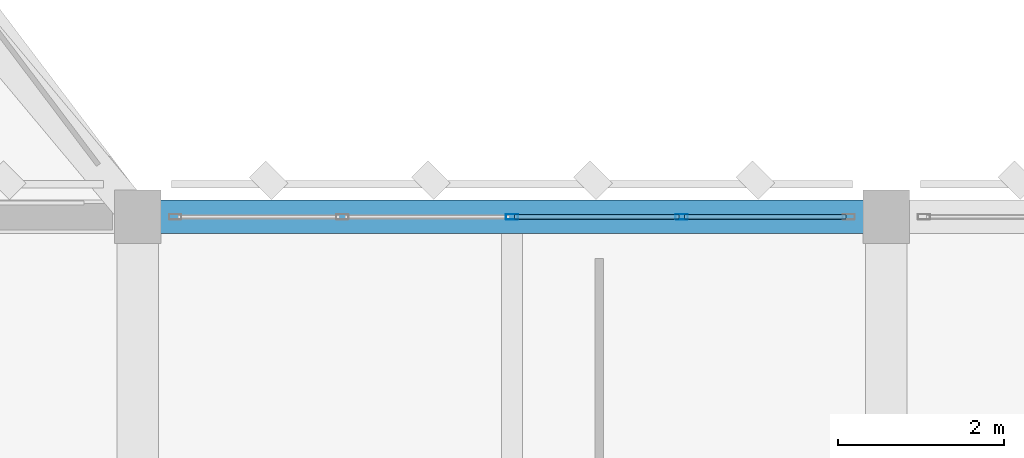
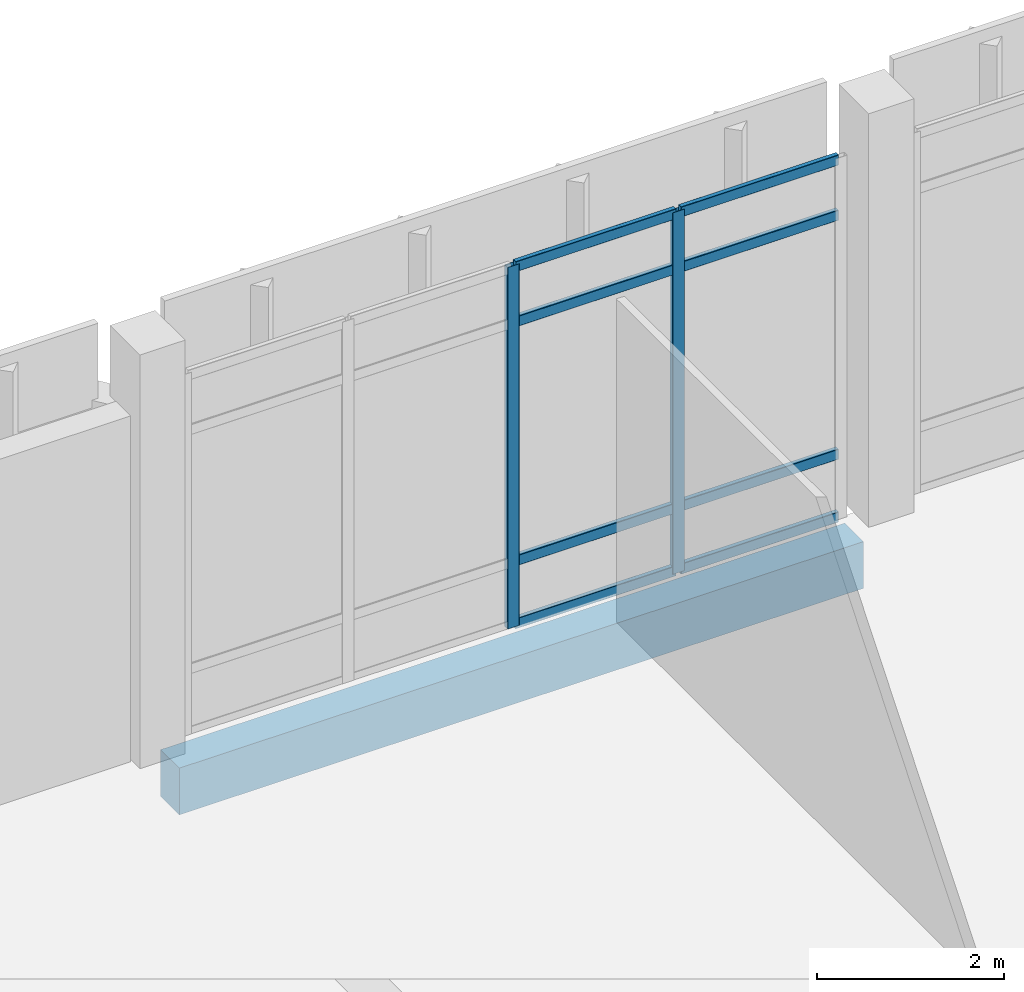
# One storey, part 87 of 180: 10 members, 1 beam, 1 element without a shape of its own.
"""IFC4 building model written with IfcOpenShell, lengths in metres."""

from ifc_helpers import new_model, si_unit, direction, frame, origin, origin_2d, place, context, subcontext, project, spatial, rectangle, hollow_rectangle, extrude, material, material_profile, profile_set, type_object, element, aggregate, save


model = new_model("IFC4")

# Units and contexts
model_context = context("Model", 3, precision=1e-05, world=origin(), true_north=direction((0.0, 1.0)))
body_context = subcontext(model_context, "Body", "Model", "MODEL_VIEW")
ifc_project = project(units=[si_unit("LENGTHUNIT", "METRE"), si_unit("AREAUNIT", "SQUARE_METRE"), si_unit("VOLUMEUNIT", "CUBIC_METRE"), si_unit("PLANEANGLEUNIT", "RADIAN"), si_unit("MASSUNIT", "GRAM", prefix="KILO")], contexts=[model_context])

# Site, building, storey
site_placement = place(None, origin())
site = spatial("IfcSite", under=ifc_project, at=site_placement, CompositionType="ELEMENT")
building_placement = place(site_placement, origin())
building = spatial("IfcBuilding", under=site, at=building_placement, Name="Lusvemor Sports Hall", CompositionType="ELEMENT")
storey_placement = place(building_placement, frame((0.0, 0.0, 5.39990234375)))
storey = spatial("IfcBuildingStorey", under=building, at=storey_placement, Name="L01", CompositionType="ELEMENT", Elevation=5.39990234375)

# Curtain wall, members
ifc_material_1 = material(Name="Thermally broken bronze-anodized aluminium", Category="aluminium")
curtain_wall_type = type_object("IfcCurtainWallType", Name="CW_WING_B", PredefinedType="NOTDEFINED", material=ifc_material_1)
curtain_wall_placement = place(storey_placement, origin())
curtain_wall = element("IfcCurtainWall", 1, at=curtain_wall_placement, inside=storey, type_object=curtain_wall_type, Name="Curtain Wall CW-L01-N-1-8", PredefinedType="NOTDEFINED")
ifc_material_2 = material(Name="Thermally broken bronze-anodized aluminium", Category="aluminium")
ifc_material_profile_1 = material_profile(ifc_material_2, hollow_rectangle(XDim=0.06494140625, YDim=0.14990234375, WallThickness=0.00390625, InnerFilletRadius=0.00390625, OuterFilletRadius=0.008056640625, at=origin_2d()), Name="CWMUL150x65x4")
ifc_profile_set_1 = profile_set([ifc_material_profile_1], Name="Thermally broken bronze-anodized aluminium")
member_type_1 = type_object("IfcMemberType", Name="CW_MUL_B", PredefinedType="MULLION", material=ifc_profile_set_1)
member_1_placement = place(storey_placement, frame((89.10009765625, 115.199951171875, 0.0), z_axis=(0.0, 0.0, 1.0), x_axis=(0.0, 1.0, 0.0)))
member_1 = element("IfcMember", 2, at=member_1_placement, type_object=member_type_1, Name="CW02 mullion 3", PredefinedType="MULLION", context=body_context, shape_type="SweptSolid", body=[
    extrude(hollow_rectangle(XDim=0.06494140625, YDim=0.14990234375, WallThickness=0.00390625, InnerFilletRadius=0.00390625, OuterFilletRadius=0.008056640625, at=origin_2d()), origin(), (0.0, 0.0, 1.0), 4.72021484375),
])
member_2_placement = place(storey_placement, frame((91.139892578125, 115.199951171875, 0.0), z_axis=(0.0, 0.0, 1.0), x_axis=(0.0, 1.0, 0.0)))
member_2 = element("IfcMember", 3, at=member_2_placement, type_object=member_type_1, Name="CW02 mullion 4", PredefinedType="MULLION", context=body_context, shape_type="SweptSolid", body=[
    extrude(hollow_rectangle(XDim=0.06494140625, YDim=0.14990234375, WallThickness=0.00390625, InnerFilletRadius=0.00390625, OuterFilletRadius=0.008056640625, at=origin_2d()), origin(), (0.0, 0.0, 1.0), 4.72021484375),
])
ifc_material_3 = material(Name="Thermally broken bronze-anodized aluminium", Category="aluminium")
ifc_material_profile_2 = material_profile(ifc_material_3, hollow_rectangle(XDim=0.06005859375, YDim=0.135009765625, WallThickness=0.00390625, InnerFilletRadius=0.00390625, OuterFilletRadius=0.008056640625, at=origin_2d()), Name="CWTRN135x60x4")
ifc_profile_set_2 = profile_set([ifc_material_profile_2], Name="Thermally broken bronze-anodized aluminium")
member_type_2 = type_object("IfcMemberType", Name="CW_TRN_B", PredefinedType="USERDEFINED", material=ifc_profile_set_2)
member_3_placement = place(storey_placement, frame((89.132568359375, 115.199951171875, 0.030029296875), z_axis=(1.0, 0.0, 0.0), x_axis=(0.0, 1.0, 0.0)))
member_3 = element("IfcMember", 4, at=member_3_placement, type_object=member_type_2, Name="CW02 transom 3.1", ObjectType="TRANSOM", PredefinedType="USERDEFINED", context=body_context, shape_type="SweptSolid", body=[
    extrude(hollow_rectangle(XDim=0.06005859375, YDim=0.135009765625, WallThickness=0.00390625, InnerFilletRadius=0.00390625, OuterFilletRadius=0.008056640625, at=origin_2d()), origin(), (0.0, 0.0, 1.0), 1.974853515625),
])
member_4_placement = place(storey_placement, frame((89.132568359375, 115.199951171875, 0.85009765625), z_axis=(1.0, 0.0, 0.0), x_axis=(0.0, 1.0, 0.0)))
member_4 = element("IfcMember", 5, at=member_4_placement, type_object=member_type_2, Name="CW02 transom 3.2", ObjectType="TRANSOM", PredefinedType="USERDEFINED", context=body_context, shape_type="SweptSolid", body=[
    extrude(hollow_rectangle(XDim=0.06005859375, YDim=0.135009765625, WallThickness=0.00390625, InnerFilletRadius=0.00390625, OuterFilletRadius=0.008056640625, at=origin_2d()), origin(), (0.0, 0.0, 1.0), 1.974853515625),
])
member_5_placement = place(storey_placement, frame((89.132568359375, 115.199951171875, 3.97021484375), z_axis=(1.0, 0.0, 0.0), x_axis=(0.0, 1.0, 0.0)))
member_5 = element("IfcMember", 6, at=member_5_placement, type_object=member_type_2, Name="CW02 transom 3.3", ObjectType="TRANSOM", PredefinedType="USERDEFINED", context=body_context, shape_type="SweptSolid", body=[
    extrude(hollow_rectangle(XDim=0.06005859375, YDim=0.135009765625, WallThickness=0.00390625, InnerFilletRadius=0.00390625, OuterFilletRadius=0.008056640625, at=origin_2d()), origin(), (0.0, 0.0, 1.0), 1.974853515625),
])
member_6_placement = place(storey_placement, frame((89.132568359375, 115.199951171875, 4.690185546875), z_axis=(1.0, 0.0, 0.0), x_axis=(0.0, 1.0, 0.0)))
member_6 = element("IfcMember", 7, at=member_6_placement, type_object=member_type_2, Name="CW02 transom 3.4", ObjectType="TRANSOM", PredefinedType="USERDEFINED", context=body_context, shape_type="SweptSolid", body=[
    extrude(hollow_rectangle(XDim=0.06005859375, YDim=0.135009765625, WallThickness=0.00390625, InnerFilletRadius=0.00390625, OuterFilletRadius=0.008056640625, at=origin_2d()), origin(), (0.0, 0.0, 1.0), 1.974853515625),
])
member_7_placement = place(storey_placement, frame((91.172607421875, 115.199951171875, 0.030029296875), z_axis=(1.0, 0.0, 0.0), x_axis=(0.0, 1.0, 0.0)))
member_7 = element("IfcMember", 8, at=member_7_placement, type_object=member_type_2, Name="CW02 transom 4.1", ObjectType="TRANSOM", PredefinedType="USERDEFINED", context=body_context, shape_type="SweptSolid", body=[
    extrude(hollow_rectangle(XDim=0.06005859375, YDim=0.135009765625, WallThickness=0.00390625, InnerFilletRadius=0.00390625, OuterFilletRadius=0.008056640625, at=origin_2d()), origin(), (0.0, 0.0, 1.0), 1.9423828125),
])
member_8_placement = place(storey_placement, frame((91.172607421875, 115.199951171875, 0.85009765625), z_axis=(1.0, 0.0, 0.0), x_axis=(0.0, 1.0, 0.0)))
member_8 = element("IfcMember", 9, at=member_8_placement, type_object=member_type_2, Name="CW02 transom 4.2", ObjectType="TRANSOM", PredefinedType="USERDEFINED", context=body_context, shape_type="SweptSolid", body=[
    extrude(hollow_rectangle(XDim=0.06005859375, YDim=0.135009765625, WallThickness=0.00390625, InnerFilletRadius=0.00390625, OuterFilletRadius=0.008056640625, at=origin_2d()), origin(), (0.0, 0.0, 1.0), 1.9423828125),
])
member_9_placement = place(storey_placement, frame((91.172607421875, 115.199951171875, 3.97021484375), z_axis=(1.0, 0.0, 0.0), x_axis=(0.0, 1.0, 0.0)))
member_9 = element("IfcMember", 10, at=member_9_placement, type_object=member_type_2, Name="CW02 transom 4.3", ObjectType="TRANSOM", PredefinedType="USERDEFINED", context=body_context, shape_type="SweptSolid", body=[
    extrude(hollow_rectangle(XDim=0.06005859375, YDim=0.135009765625, WallThickness=0.00390625, InnerFilletRadius=0.00390625, OuterFilletRadius=0.008056640625, at=origin_2d()), origin(), (0.0, 0.0, 1.0), 1.9423828125),
])
member_10_placement = place(storey_placement, frame((91.172607421875, 115.199951171875, 4.690185546875), z_axis=(1.0, 0.0, 0.0), x_axis=(0.0, 1.0, 0.0)))
member_10 = element("IfcMember", 11, at=member_10_placement, type_object=member_type_2, Name="CW02 transom 4.4", ObjectType="TRANSOM", PredefinedType="USERDEFINED", context=body_context, shape_type="SweptSolid", body=[
    extrude(hollow_rectangle(XDim=0.06005859375, YDim=0.135009765625, WallThickness=0.00390625, InnerFilletRadius=0.00390625, OuterFilletRadius=0.008056640625, at=origin_2d()), origin(), (0.0, 0.0, 1.0), 1.9423828125),
])
aggregate(curtain_wall, [member_1, member_2, member_3, member_4, member_5, member_6, member_7, member_8, member_9, member_10])

# Beam
ifc_material_4 = material(Name="Concrete C40/50", Category="concrete")
ifc_material_profile_3 = material_profile(ifc_material_4, rectangle(XDim=0.39990234375, YDim=0.610107421875, at=origin_2d()), Name="RC400x610")
ifc_profile_set_3 = profile_set([ifc_material_profile_3], Name="Concrete C40/50")
beam_type = type_object("IfcBeamType", Name="SPAND_EXT_650", PredefinedType="SPANDREL", material=ifc_profile_set_3)
beam_placement = place(storey_placement, frame((84.8759765625, 115.199951171875, -0.56494140625), z_axis=(1.0, 0.0, 0.0), x_axis=(0.0, 1.0, 0.0)))
element("IfcBeam", 12, at=beam_placement, inside=storey, type_object=beam_type, Name="Beam L01 Q:9-10", PredefinedType="SPANDREL", context=body_context, shape_type="SweptSolid", body=[
    extrude(rectangle(XDim=0.39990234375, YDim=0.610107421875, at=origin_2d()), origin(), (0.0, 0.0, 1.0), 8.447998046875),
])

save(model, "model.ifc")
